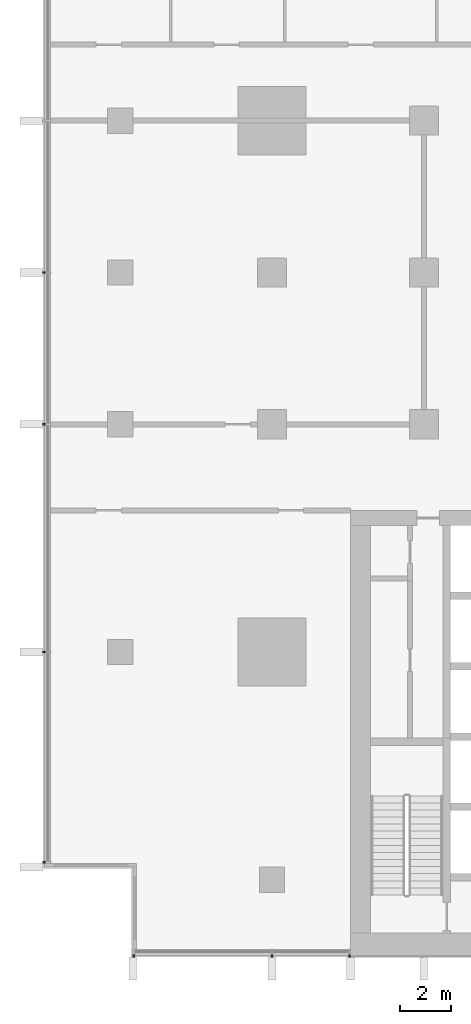
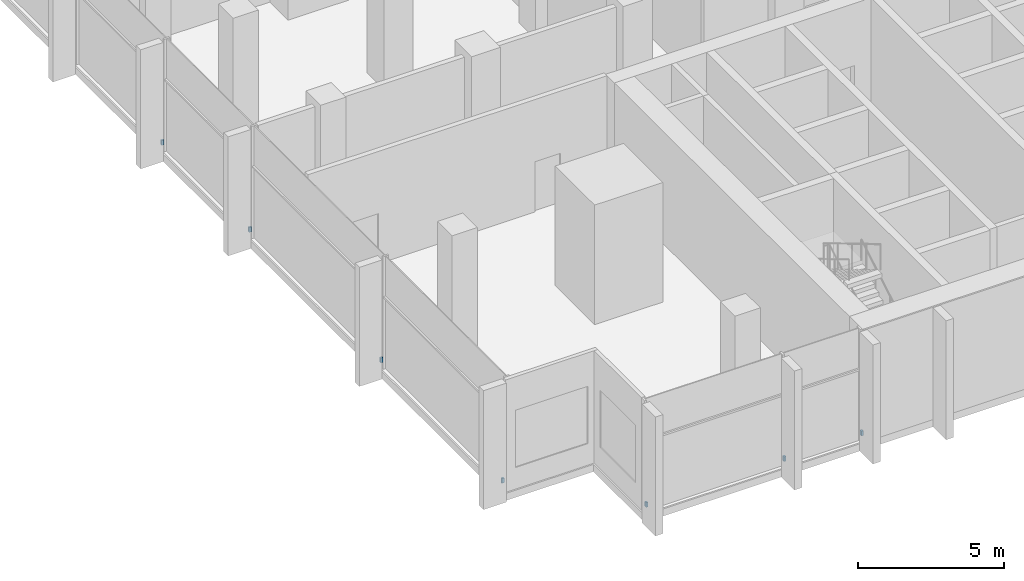
# One storey, part 10 of 14: 7 discrete accessories.
"""IFC4 building model written with IfcOpenShell, lengths in metres."""

from ifc_helpers import new_model, si_unit, direction, frame, origin, origin_2d, place, context, subcontext, project, spatial, rectangle, extrude, material, type_object, element, save


model = new_model("IFC4")

# Units and contexts
model_context = context("Model", 3, precision=1e-05, world=origin(), true_north=direction((0.0, 1.0)))
body_context = subcontext(model_context, "Body", "Model", "MODEL_VIEW")
ifc_project = project(units=[si_unit("LENGTHUNIT", "METRE"), si_unit("AREAUNIT", "SQUARE_METRE"), si_unit("VOLUMEUNIT", "CUBIC_METRE"), si_unit("PLANEANGLEUNIT", "RADIAN"), si_unit("MASSUNIT", "GRAM", prefix="KILO")], contexts=[model_context])

# Site, building, storey
site_placement = place(None, origin())
site = spatial("IfcSite", under=ifc_project, at=site_placement, CompositionType="ELEMENT")
building_placement = place(site_placement, origin())
building = spatial("IfcBuilding", under=site, at=building_placement, Name="Finial Court Residences", CompositionType="ELEMENT")
storey_placement = place(building_placement, frame((0.0, 0.0, 133.89990234375)))
storey = spatial("IfcBuildingStorey", under=building, at=storey_placement, Name="L33", CompositionType="ELEMENT", Elevation=133.89990234375)

# Discrete accessories
ifc_material = material(Name="Stainless steel 316", Category="steel")
discrete_accessory_type = type_object("IfcDiscreteAccessoryType", Name="Fin bracket, stainless steel 75 x 98 x 200", PredefinedType="BRACKET", material=ifc_material)
for number, where, z_axis, x_axis, name in (
    (1, (-21.96240234375, -25.51123046875, 0.30029296875), (0.0, 0.0, 1.0), (1.0, 0.0, 0.0), "E-L33-FIN-S16-BRK"),
    (2, (-16.5, -25.51123046875, 0.30029296875), (0.0, 0.0, 1.0), (1.0, 0.0, 0.0), "E-L33-FIN-S17-BRK"),
    (3, (-13.4375, -25.51123046875, 0.30029296875), (0.0, 0.0, 1.0), (1.0, 0.0, 0.0), "E-L33-FIN-S18-BRK"),
):
    element("IfcDiscreteAccessory", number, at=place(storey_placement, frame(where, z_axis=z_axis, x_axis=x_axis)), inside=storey, type_object=discrete_accessory_type, Name=name, PredefinedType="BRACKET", context=body_context, shape_type="SweptSolid", body=[
        extrude(rectangle(XDim=0.074951171875, YDim=0.097412109375, at=origin_2d()), origin(), (0.0, 0.0, 1.0), 0.199951171875),
    ])
for number, where, z_axis, x_axis, name in (
    (4, (-25.51123046875, -21.8125, 0.30029296875), (0.0, 0.0, 1.0), (1.0, 0.0, 0.0), "E-L33-FIN-W26-BRK"),
    (5, (-25.51123046875, -13.5, 0.30029296875), (0.0, 0.0, 1.0), (1.0, 0.0, 0.0), "E-L33-FIN-W27-BRK"),
    (6, (-25.51123046875, -4.5, 0.30029296875), (0.0, 0.0, 1.0), (1.0, 0.0, 0.0), "E-L33-FIN-W28-BRK"),
    (7, (-25.51123046875, 1.5, 0.30029296875), (0.0, 0.0, 1.0), (1.0, 0.0, 0.0), "E-L33-FIN-W29-BRK"),
):
    element("IfcDiscreteAccessory", number, at=place(storey_placement, frame(where, z_axis=z_axis, x_axis=x_axis)), inside=storey, type_object=discrete_accessory_type, Name=name, PredefinedType="BRACKET", context=body_context, shape_type="SweptSolid", body=[
        extrude(rectangle(XDim=0.097412109375, YDim=0.074951171875, at=origin_2d()), origin(), (0.0, 0.0, 1.0), 0.199951171875),
    ])

save(model, "model.ifc")
